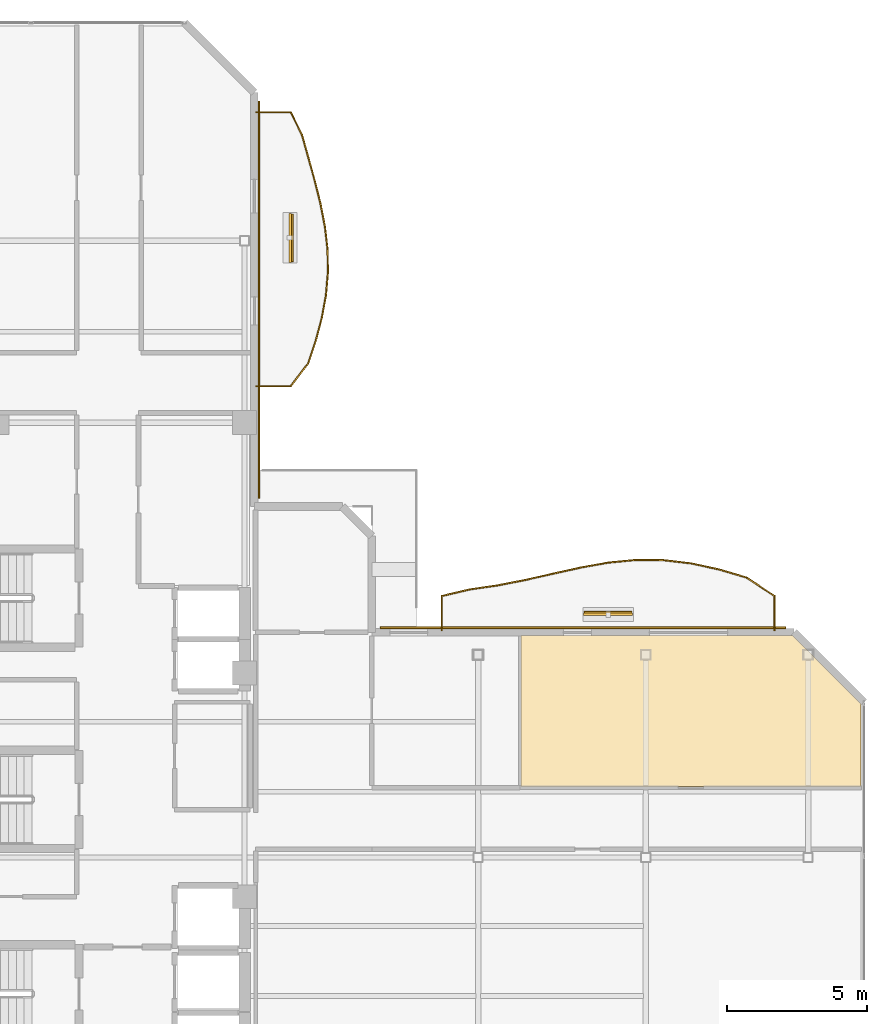
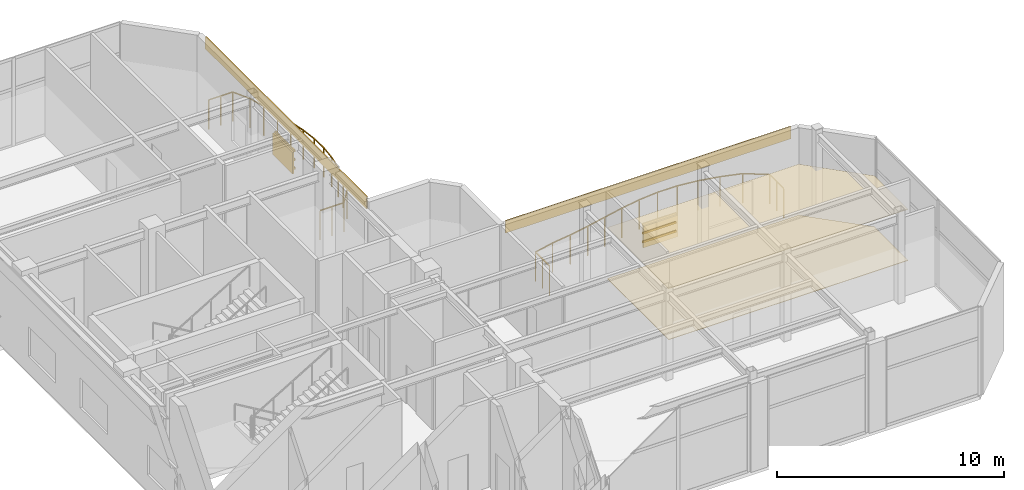
# One storey, part 16 of 16: 8 shading devices, 4 coverings, 2 railings.
"""IFC4 building model written with IfcOpenShell, lengths in metres."""

from ifc_helpers import new_model, si_unit, direction, frame, origin, origin_2d, place, context, subcontext, project, spatial, polyline, rectangle, outline, extrude, material, layer, layer_set, material_profile, profile_set, type_object, element, save


model = new_model("IFC4")

# Units and contexts
model_context = context("Model", 3, precision=1e-05, world=origin(), true_north=direction((0.0, 1.0)))
body_context = subcontext(model_context, "Body", "Model", "MODEL_VIEW")
ifc_project = project(units=[si_unit("LENGTHUNIT", "METRE"), si_unit("AREAUNIT", "SQUARE_METRE"), si_unit("VOLUMEUNIT", "CUBIC_METRE"), si_unit("PLANEANGLEUNIT", "RADIAN"), si_unit("MASSUNIT", "GRAM", prefix="KILO")], contexts=[model_context])

# Site, building, storey
site_placement = place(None, origin())
site = spatial("IfcSite", under=ifc_project, at=site_placement, CompositionType="ELEMENT")
building_placement = place(site_placement, origin())
building = spatial("IfcBuilding", under=site, at=building_placement, Name="Mawjaban Terraces University", CompositionType="ELEMENT")
storey_placement = place(building_placement, frame((0.0, 0.0, 311.699951171875)))
storey = spatial("IfcBuildingStorey", under=building, at=storey_placement, Name="L76", CompositionType="ELEMENT", Elevation=311.699951171875)

# Covering
ifc_material_1 = material(Name="Acoustic mineral fibre ceiling tile", Category="masonry")
ifc_layer_1 = layer(ifc_material_1, 0.02001953125)
ifc_layer_set_1 = layer_set([ifc_layer_1], Name="Acoustic mineral fibre ceiling tile")
covering_type_1 = type_object("IfcCoveringType", Name="AcousticMineralCeiling_20", PredefinedType="CEILING", material=ifc_layer_set_1)
covering_1_placement = place(storey_placement, frame((0.0, 0.0, 2.75)))
element("IfcCovering", 1, at=covering_1_placement, inside=storey, type_object=covering_type_1, Name="L76 Summit Visitor Sky Lounge Acoustic Ceiling", PredefinedType="CEILING", context=body_context, shape_type="SweptSolid", body=[
    extrude(outline(polyline([(59.68505859375, 10.47998046875), (59.68505859375, 13.452880859375), (57.2529296875, 15.885009765625), (47.530029296875, 15.885009765625), (47.530029296875, 10.47998046875), (59.68505859375, 10.47998046875)])), origin(), (0.0, 0.0, 1.0), 0.02001953125),
])

# Railings
ifc_material_2 = material(Name="Galvanised powder-coated steel S355", Category="steel")
railing_type = type_object("IfcRailingType", Name="BalconyBalustrade_1600", PredefinedType="BALUSTRADE", material=ifc_material_2)
railing_1_placement = place(storey_placement, frame((44.699951171875, 16.080078125, 0.0)))
element("IfcRailing", 2, at=railing_1_placement, inside=storey, type_object=railing_type, Name="L76 Balcony Guardrail inner_north", PredefinedType="BALUSTRADE", context=body_context, shape_type="SweptSolid", body=[
    extrude(rectangle(XDim=0.048095703125, YDim=0.048095703125, at=origin_2d()), frame((0.0, 0.0, 1.576171875), z_axis=(0.0, 1.0, 0.0), x_axis=(-1.0, 0.0, 0.0)), (0.0, 0.0, 1.0), 1.219970703125),
    extrude(rectangle(XDim=0.048095703125, YDim=0.048095703125, at=origin_2d()), frame((0.0, 1.219970703125, 1.576171875), z_axis=(0.973310244694, 0.229493284375, 0.0), x_axis=(-0.229493284375, 0.973310244694, 0.0)), (0.0, 0.0, 1.0), 1.01904296875),
    extrude(rectangle(XDim=0.048095703125, YDim=0.048095703125, at=origin_2d()), frame((0.991943359375, 1.453857421875, 1.576171875), z_axis=(0.989466173356, 0.144764262801, 0.0), x_axis=(-0.144764262801, 0.989466173356, 0.0)), (0.0, 0.0, 1.0), 1.001708984375),
    extrude(rectangle(XDim=0.048095703125, YDim=0.048095703125, at=origin_2d()), frame((1.983154296875, 1.598876953125, 1.576171875), z_axis=(0.981571356873, 0.191095974228, 0.0), x_axis=(-0.191095974228, 0.981571356873, 0.0)), (0.0, 0.0, 1.0), 1.010498046875),
    extrude(rectangle(XDim=0.048095703125, YDim=0.048095703125, at=origin_2d()), frame((2.97509765625, 1.7919921875, 1.576171875), z_axis=(0.975464291963, 0.220157705078, 0.0), x_axis=(-0.220157705078, 0.975464291963, 0.0)), (0.0, 0.0, 1.0), 1.016845703125),
    extrude(rectangle(XDim=0.048095703125, YDim=0.048095703125, at=origin_2d()), frame((3.967041015625, 2.015869140625, 1.576171875), z_axis=(0.976034054229, 0.217617841606, 0.0), x_axis=(-0.217617841606, 0.976034054229, 0.0)), (0.0, 0.0, 1.0), 1.015380859375),
    extrude(rectangle(XDim=0.048095703125, YDim=0.048095703125, at=origin_2d()), frame((4.9580078125, 2.23681640625, 1.576171875), z_axis=(0.98423986945, 0.176838568717, 0.0), x_axis=(-0.176838568717, 0.98423986945, 0.0)), (0.0, 0.0, 1.0), 1.0078125),
    extrude(rectangle(XDim=0.048095703125, YDim=0.048095703125, at=origin_2d()), frame((5.949951171875, 2.4150390625, 1.576171875), z_axis=(0.995356828437, 0.096253748419, 0.0), x_axis=(-0.096253748419, 0.995356828437, 0.0)), (0.0, 0.0, 1.0), 0.996826171875),
    extrude(rectangle(XDim=0.048095703125, YDim=0.048095703125, at=origin_2d()), frame((6.942138671875, 2.510986328125, 1.576171875), z_axis=(0.999974478202, -0.007144434557, 0.0), x_axis=(0.007144434557, 0.999974478202, 0.0)), (0.0, 0.0, 1.0), 0.990966796875),
    extrude(rectangle(XDim=0.048095703125, YDim=0.048095703125, at=origin_2d()), frame((7.93310546875, 2.50390625, 1.576171875), z_axis=(0.993122211079, -0.117082337954, 0.0), x_axis=(0.117082337954, 0.993122211079, 0.0)), (0.0, 0.0, 1.0), 0.998779296875),
    extrude(rectangle(XDim=0.048095703125, YDim=0.048095703125, at=origin_2d()), frame((8.925048828125, 2.386962890625, 1.576171875), z_axis=(0.977289111882, -0.211910339052, 0.0), x_axis=(0.211910339052, 0.977289111882, 0.0)), (0.0, 0.0, 1.0), 1.014892578125),
    extrude(rectangle(XDim=0.048095703125, YDim=0.048095703125, at=origin_2d()), frame((9.9169921875, 2.171875, 1.576171875), z_axis=(0.958454384073, -0.285245847736, 0.0), x_axis=(0.285245847736, 0.958454384073, 0.0)), (0.0, 0.0, 1.0), 1.033935546875),
    extrude(rectangle(XDim=0.048095703125, YDim=0.048095703125, at=origin_2d()), frame((10.907958984375, 1.876953125, 1.576171875), z_axis=(0.833782213753, -0.552093488487, 0.0), x_axis=(0.552093488487, 0.833782213753, 0.0)), (0.0, 0.0, 1.0), 1.18994140625),
    extrude(rectangle(XDim=0.048095703125, YDim=0.048095703125, at=origin_2d()), frame((11.900146484375, 1.219970703125, 1.576171875), z_axis=(0.0, -1.0, 0.0), x_axis=(1.0, 0.0, 0.0)), (0.0, 0.0, 1.0), 1.219970703125),
    extrude(rectangle(XDim=0.0419921875, YDim=0.0419921875, at=origin_2d()), origin(), (0.0, 0.0, 1.0), 1.552001953125),
    extrude(rectangle(XDim=0.0419921875, YDim=0.0419921875, at=origin_2d()), frame((0.0, 0.60986328125, 0.0)), (0.0, 0.0, 1.0), 1.552001953125),
    extrude(rectangle(XDim=0.0419921875, YDim=0.0419921875, at=origin_2d()), frame((0.0, 1.219970703125, 0.0)), (0.0, 0.0, 1.0), 1.552001953125),
    extrude(rectangle(XDim=0.0419921875, YDim=0.0419921875, at=origin_2d()), frame((0.991943359375, 1.453857421875, 0.0)), (0.0, 0.0, 1.0), 1.552001953125),
    extrude(rectangle(XDim=0.0419921875, YDim=0.0419921875, at=origin_2d()), frame((1.983154296875, 1.598876953125, 0.0)), (0.0, 0.0, 1.0), 1.552001953125),
    extrude(rectangle(XDim=0.0419921875, YDim=0.0419921875, at=origin_2d()), frame((2.97509765625, 1.7919921875, 0.0)), (0.0, 0.0, 1.0), 1.552001953125),
    extrude(rectangle(XDim=0.0419921875, YDim=0.0419921875, at=origin_2d()), frame((3.967041015625, 2.015869140625, 0.0)), (0.0, 0.0, 1.0), 1.552001953125),
    extrude(rectangle(XDim=0.0419921875, YDim=0.0419921875, at=origin_2d()), frame((4.9580078125, 2.23681640625, 0.0)), (0.0, 0.0, 1.0), 1.552001953125),
    extrude(rectangle(XDim=0.0419921875, YDim=0.0419921875, at=origin_2d()), frame((5.949951171875, 2.4150390625, 0.0)), (0.0, 0.0, 1.0), 1.552001953125),
    extrude(rectangle(XDim=0.0419921875, YDim=0.0419921875, at=origin_2d()), frame((6.942138671875, 2.510986328125, 0.0)), (0.0, 0.0, 1.0), 1.552001953125),
    extrude(rectangle(XDim=0.0419921875, YDim=0.0419921875, at=origin_2d()), frame((7.93310546875, 2.50390625, 0.0)), (0.0, 0.0, 1.0), 1.552001953125),
    extrude(rectangle(XDim=0.0419921875, YDim=0.0419921875, at=origin_2d()), frame((8.925048828125, 2.386962890625, 0.0)), (0.0, 0.0, 1.0), 1.552001953125),
    extrude(rectangle(XDim=0.0419921875, YDim=0.0419921875, at=origin_2d()), frame((9.9169921875, 2.171875, 0.0)), (0.0, 0.0, 1.0), 1.552001953125),
    extrude(rectangle(XDim=0.0419921875, YDim=0.0419921875, at=origin_2d()), frame((10.907958984375, 1.876953125, 0.0)), (0.0, 0.0, 1.0), 1.552001953125),
    extrude(rectangle(XDim=0.0419921875, YDim=0.0419921875, at=origin_2d()), frame((11.900146484375, 1.219970703125, 0.0)), (0.0, 0.0, 1.0), 1.552001953125),
    extrude(rectangle(XDim=0.0419921875, YDim=0.0419921875, at=origin_2d()), frame((11.900146484375, 0.60986328125, 0.0)), (0.0, 0.0, 1.0), 1.552001953125),
    extrude(rectangle(XDim=0.0419921875, YDim=0.0419921875, at=origin_2d()), frame((11.900146484375, 0.0, 0.0)), (0.0, 0.0, 1.0), 1.552001953125),
])
railing_2_placement = place(storey_placement, frame((38.080078125, 24.800048828125, 0.0)))
element("IfcRailing", 3, at=railing_2_placement, inside=storey, type_object=railing_type, Name="L76 Balcony Guardrail inner_east", PredefinedType="BALUSTRADE", context=body_context, shape_type="SweptSolid", body=[
    extrude(rectangle(XDim=0.048095703125, YDim=0.048095703125, at=origin_2d()), frame((0.0, 0.0, 1.576171875), z_axis=(1.0, 0.0, 0.0), x_axis=(0.0, 1.0, 0.0)), (0.0, 0.0, 1.0), 1.219970703125),
    extrude(rectangle(XDim=0.048095703125, YDim=0.048095703125, at=origin_2d()), frame((1.219970703125, 0.0, 1.576171875), z_axis=(0.607643916951, 0.794209588328, 0.0), x_axis=(-0.794209588328, 0.607643916951, 0.0)), (0.0, 0.0, 1.0), 1.028564453125),
    extrude(rectangle(XDim=0.048095703125, YDim=0.048095703125, at=origin_2d()), frame((1.844970703125, 0.81689453125, 1.576171875), z_axis=(0.319202789652, 0.947686434998, 0.0), x_axis=(-0.947686434998, 0.319202789652, 0.0)), (0.0, 0.0, 1.0), 0.861328125),
    extrude(rectangle(XDim=0.048095703125, YDim=0.048095703125, at=origin_2d()), frame((2.119873046875, 1.633056640625, 1.576171875), z_axis=(0.254621331748, 0.967040835445, 0.0), x_axis=(-0.967040835445, 0.254621331748, 0.0)), (0.0, 0.0, 1.0), 0.8447265625),
    extrude(rectangle(XDim=0.048095703125, YDim=0.048095703125, at=origin_2d()), frame((2.3349609375, 2.449951171875, 1.576171875), z_axis=(0.179351143094, 0.983785122611, 0.0), x_axis=(-0.983785122611, 0.179351143094, 0.0)), (0.0, 0.0, 1.0), 0.830322265625),
    extrude(rectangle(XDim=0.048095703125, YDim=0.048095703125, at=origin_2d()), frame((2.48388671875, 3.266845703125, 1.576171875), z_axis=(0.084352789258, 0.996435952254, 0.0), x_axis=(-0.996435952254, 0.084352789258, 0.0)), (0.0, 0.0, 1.0), 0.819091796875),
    extrude(rectangle(XDim=0.048095703125, YDim=0.048095703125, at=origin_2d()), frame((2.552978515625, 4.0830078125, 1.576171875), z_axis=(-0.017331526681, 0.999849797811, 0.0), x_axis=(-0.999849797811, -0.017331526681, 0.0)), (0.0, 0.0, 1.0), 0.817138671875),
    extrude(rectangle(XDim=0.048095703125, YDim=0.048095703125, at=origin_2d()), frame((2.538818359375, 4.89990234375, 1.576171875), z_axis=(-0.115446380199, 0.993313713435, 0.0), x_axis=(-0.993313713435, -0.115446380199, 0.0)), (0.0, 0.0, 1.0), 0.82275390625),
    extrude(rectangle(XDim=0.048095703125, YDim=0.048095703125, at=origin_2d()), frame((2.44384765625, 5.717041015625, 1.576171875), z_axis=(-0.191199817075, 0.981551134659, 0.0), x_axis=(-0.981551134659, -0.191199817075, 0.0)), (0.0, 0.0, 1.0), 0.831298828125),
    extrude(rectangle(XDim=0.048095703125, YDim=0.048095703125, at=origin_2d()), frame((2.284912109375, 6.532958984375, 1.576171875), z_axis=(-0.24239917503, 0.970176602452, 0.0), x_axis=(-0.970176602452, -0.24239917503, 0.0)), (0.0, 0.0, 1.0), 0.842041015625),
    extrude(rectangle(XDim=0.048095703125, YDim=0.048095703125, at=origin_2d()), frame((2.080810546875, 7.349853515625, 1.576171875), z_axis=(-0.265310472902, 0.964163032359, 0.0), x_axis=(-0.964163032359, -0.265310472902, 0.0)), (0.0, 0.0, 1.0), 0.847412109375),
    extrude(rectangle(XDim=0.048095703125, YDim=0.048095703125, at=origin_2d()), frame((1.85595703125, 8.1669921875, 1.576171875), z_axis=(-0.270228279677, 0.962796280042, 0.0), x_axis=(-0.962796280042, -0.270228279677, 0.0)), (0.0, 0.0, 1.0), 0.847412109375),
    extrude(rectangle(XDim=0.048095703125, YDim=0.048095703125, at=origin_2d()), frame((1.626953125, 8.98291015625, 1.576171875), z_axis=(-0.445822367278, 0.895121453678, 0.0), x_axis=(-0.895121453678, -0.445822367278, 0.0)), (0.0, 0.0, 1.0), 0.912841796875),
    extrude(rectangle(XDim=0.048095703125, YDim=0.048095703125, at=origin_2d()), frame((1.219970703125, 9.800048828125, 1.576171875), z_axis=(-1.0, 0.0, 0.0), x_axis=(0.0, -1.0, 0.0)), (0.0, 0.0, 1.0), 1.219970703125),
    extrude(rectangle(XDim=0.0419921875, YDim=0.0419921875, at=origin_2d()), origin(), (0.0, 0.0, 1.0), 1.552001953125),
    extrude(rectangle(XDim=0.0419921875, YDim=0.0419921875, at=origin_2d()), frame((0.60986328125, 0.0, 0.0)), (0.0, 0.0, 1.0), 1.552001953125),
    extrude(rectangle(XDim=0.0419921875, YDim=0.0419921875, at=origin_2d()), frame((1.219970703125, 0.0, 0.0)), (0.0, 0.0, 1.0), 1.552001953125),
    extrude(rectangle(XDim=0.0419921875, YDim=0.0419921875, at=origin_2d()), frame((1.844970703125, 0.81689453125, 0.0)), (0.0, 0.0, 1.0), 1.552001953125),
    extrude(rectangle(XDim=0.0419921875, YDim=0.0419921875, at=origin_2d()), frame((2.119873046875, 1.633056640625, 0.0)), (0.0, 0.0, 1.0), 1.552001953125),
    extrude(rectangle(XDim=0.0419921875, YDim=0.0419921875, at=origin_2d()), frame((2.3349609375, 2.449951171875, 0.0)), (0.0, 0.0, 1.0), 1.552001953125),
    extrude(rectangle(XDim=0.0419921875, YDim=0.0419921875, at=origin_2d()), frame((2.48388671875, 3.266845703125, 0.0)), (0.0, 0.0, 1.0), 1.552001953125),
    extrude(rectangle(XDim=0.0419921875, YDim=0.0419921875, at=origin_2d()), frame((2.552978515625, 4.0830078125, 0.0)), (0.0, 0.0, 1.0), 1.552001953125),
    extrude(rectangle(XDim=0.0419921875, YDim=0.0419921875, at=origin_2d()), frame((2.538818359375, 4.89990234375, 0.0)), (0.0, 0.0, 1.0), 1.552001953125),
    extrude(rectangle(XDim=0.0419921875, YDim=0.0419921875, at=origin_2d()), frame((2.44384765625, 5.717041015625, 0.0)), (0.0, 0.0, 1.0), 1.552001953125),
    extrude(rectangle(XDim=0.0419921875, YDim=0.0419921875, at=origin_2d()), frame((2.284912109375, 6.532958984375, 0.0)), (0.0, 0.0, 1.0), 1.552001953125),
    extrude(rectangle(XDim=0.0419921875, YDim=0.0419921875, at=origin_2d()), frame((2.080810546875, 7.349853515625, 0.0)), (0.0, 0.0, 1.0), 1.552001953125),
    extrude(rectangle(XDim=0.0419921875, YDim=0.0419921875, at=origin_2d()), frame((1.85595703125, 8.1669921875, 0.0)), (0.0, 0.0, 1.0), 1.552001953125),
    extrude(rectangle(XDim=0.0419921875, YDim=0.0419921875, at=origin_2d()), frame((1.626953125, 8.98291015625, 0.0)), (0.0, 0.0, 1.0), 1.552001953125),
    extrude(rectangle(XDim=0.0419921875, YDim=0.0419921875, at=origin_2d()), frame((1.219970703125, 9.800048828125, 0.0)), (0.0, 0.0, 1.0), 1.552001953125),
    extrude(rectangle(XDim=0.0419921875, YDim=0.0419921875, at=origin_2d()), frame((0.60986328125, 9.800048828125, 0.0)), (0.0, 0.0, 1.0), 1.552001953125),
    extrude(rectangle(XDim=0.0419921875, YDim=0.0419921875, at=origin_2d()), frame((0.0, 9.800048828125, 0.0)), (0.0, 0.0, 1.0), 1.552001953125),
])

# Shading devices
ifc_material_3 = material(Name="Glazed architectural terracotta ceramic", Category="masonry")
ifc_material_profile = material_profile(ifc_material_3, rectangle(XDim=0.06494140625, YDim=0.110107421875, at=origin_2d()), Name="TBAG110X65")
ifc_profile_set = profile_set([ifc_material_profile], Name="Glazed architectural terracotta ceramic")
shading_device_type_1 = type_object("IfcShadingDeviceType", Name="TerracottaBaguette_110x65", PredefinedType="USERDEFINED", material=ifc_profile_set)
for number, where, z_axis, x_axis, name in (
    (4, (49.800048828125, 16.72998046875, 0.679931640625), (1.0, 0.0, 0.0), (0.0, 1.0, 0.0), "L76 Horizontal Terracotta Baguette inner_north.1"),
    (5, (49.800048828125, 16.72998046875, 1.150146484375), (1.0, 0.0, 0.0), (0.0, 1.0, 0.0), "L76 Horizontal Terracotta Baguette inner_north.2"),
    (6, (49.800048828125, 16.72998046875, 1.6201171875), (1.0, 0.0, 0.0), (0.0, 1.0, 0.0), "L76 Horizontal Terracotta Baguette inner_north.3"),
    (7, (39.365966796875, 29.258056640625, 0.679931640625), (0.0, 1.0, 0.0), (-1.0, 0.0, 0.0), "L76 Horizontal Terracotta Baguette inner_east.1"),
    (8, (39.365966796875, 29.258056640625, 1.150146484375), (0.0, 1.0, 0.0), (-1.0, 0.0, 0.0), "L76 Horizontal Terracotta Baguette inner_east.2"),
    (9, (39.365966796875, 29.258056640625, 1.6201171875), (0.0, 1.0, 0.0), (-1.0, 0.0, 0.0), "L76 Horizontal Terracotta Baguette inner_east.3"),
):
    element("IfcShadingDevice", number, at=place(storey_placement, frame(where, z_axis=z_axis, x_axis=x_axis)), inside=storey, type_object=shading_device_type_1, Name=name, ObjectType="BAGUETTE", PredefinedType="USERDEFINED", context=body_context, shape_type="SweptSolid", body=[
        extrude(rectangle(XDim=0.06494140625, YDim=0.110107421875, at=origin_2d()), origin(), (0.0, 0.0, 1.0), 1.699951171875),
    ])
ifc_layer_2 = layer(ifc_material_3, 0.080078125)
ifc_layer_set_2 = layer_set([ifc_layer_2], Name="Glazed architectural terracotta ceramic")
shading_device_type_2 = type_object("IfcShadingDeviceType", Name="TerracottaScreen_Perforated", PredefinedType="USERDEFINED", material=ifc_layer_set_2)
for number, where, z_axis, x_axis, name in (
    (10, (50.64990234375, 16.64501953125, 0.440185546875), (0.0, 0.0, 1.0), (1.0, 0.0, 0.0), "L76 Balcony Perforated Terracotta Screen inner_north"),
    (11, (39.281005859375, 30.10791015625, 0.440185546875), (0.0, 0.0, 1.0), (0.0, 1.0, 0.0), "L76 Balcony Perforated Terracotta Screen inner_east"),
):
    element("IfcShadingDevice", number, at=place(storey_placement, frame(where, z_axis=z_axis, x_axis=x_axis)), inside=storey, type_object=shading_device_type_2, Name=name, ObjectType="SCREEN", PredefinedType="USERDEFINED", context=body_context, shape_type="SweptSolid", body=[
        extrude(rectangle(XDim=1.75, YDim=0.080078125, at=origin_2d()), origin(), (0.0, 0.0, 1.0), 1.14990234375),
    ])

# Coverings
ifc_material_4 = material(Name="Glazed architectural terracotta rainscreen", Category="masonry")
ifc_layer_3 = layer(ifc_material_4, 0.06005859375)
ifc_layer_set_3 = layer_set([ifc_layer_3], Name="Glazed architectural terracotta rainscreen")
covering_type_2 = type_object("IfcCoveringType", Name="TerracottaSpandrelCladding_60", PredefinedType="CLADDING", material=ifc_layer_set_3)
covering_2_placement = place(storey_placement, frame((49.75, 16.1630859375, 4.065185546875), z_axis=(0.0, 0.0, 1.0), x_axis=(-1.0, 0.0, 0.0)))
element("IfcCovering", 12, at=covering_2_placement, inside=storey, type_object=covering_type_2, Name="L76 Terracotta Spandrel Cladding 5", PredefinedType="CLADDING", context=body_context, shape_type="SweptSolid", body=[
    extrude(rectangle(XDim=14.5, YDim=0.06005859375, at=origin_2d()), origin(), (0.0, 0.0, 1.0), 0.64990234375),
])
covering_3_placement = place(storey_placement, frame((38.1630859375, 27.89990234375, 4.065185546875), z_axis=(0.0, 0.0, 1.0), x_axis=(0.0, 1.0, 0.0)))
element("IfcCovering", 13, at=covering_3_placement, inside=storey, type_object=covering_type_2, Name="L76 Terracotta Spandrel Cladding 9", PredefinedType="CLADDING", context=body_context, shape_type="SweptSolid", body=[
    extrude(rectangle(XDim=14.199951171875, YDim=0.06005859375, at=origin_2d()), origin(), (0.0, 0.0, 1.0), 0.64990234375),
])
ifc_material_5 = material(Name="Polished Hijazi granite terrazzo flooring", Category="masonry")
ifc_layer_4 = layer(ifc_material_5, 0.02490234375)
ifc_layer_set_4 = layer_set([ifc_layer_4], Name="Polished Hijazi granite terrazzo flooring")
covering_type_3 = type_object("IfcCoveringType", Name="TerrazzoConcourseFlooring_25", PredefinedType="FLOORING", material=ifc_layer_set_4)
covering_4_placement = place(storey_placement, origin())
element("IfcCovering", 14, at=covering_4_placement, inside=storey, type_object=covering_type_3, Name="L76 Summit Visitor Sky Lounge Terrazzo Flooring", PredefinedType="FLOORING", context=body_context, shape_type="SweptSolid", body=[
    extrude(outline(polyline([(59.68505859375, 10.47998046875), (59.68505859375, 13.452880859375), (57.2529296875, 15.885009765625), (47.530029296875, 15.885009765625), (47.530029296875, 10.47998046875), (59.68505859375, 10.47998046875)])), origin(), (0.0, 0.0, 1.0), 0.025146484375),
])

save(model, "model.ifc")
